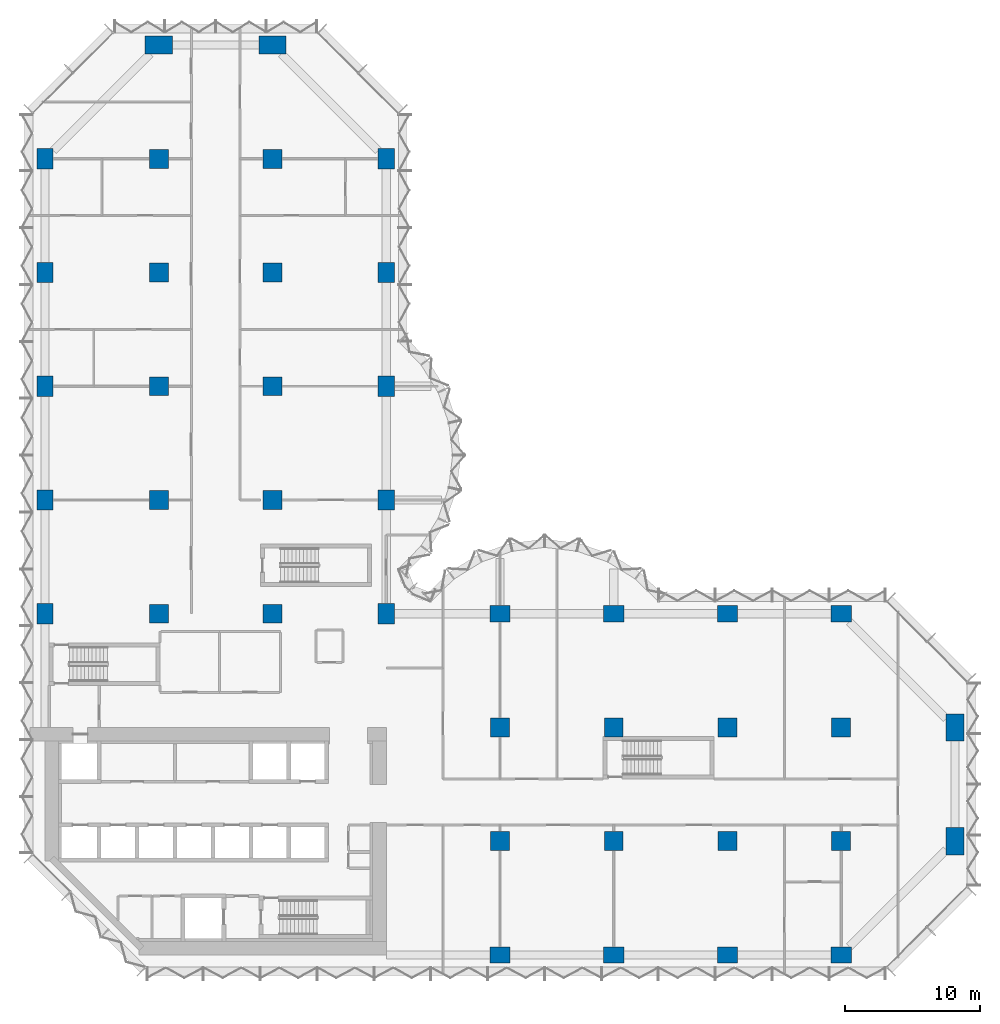
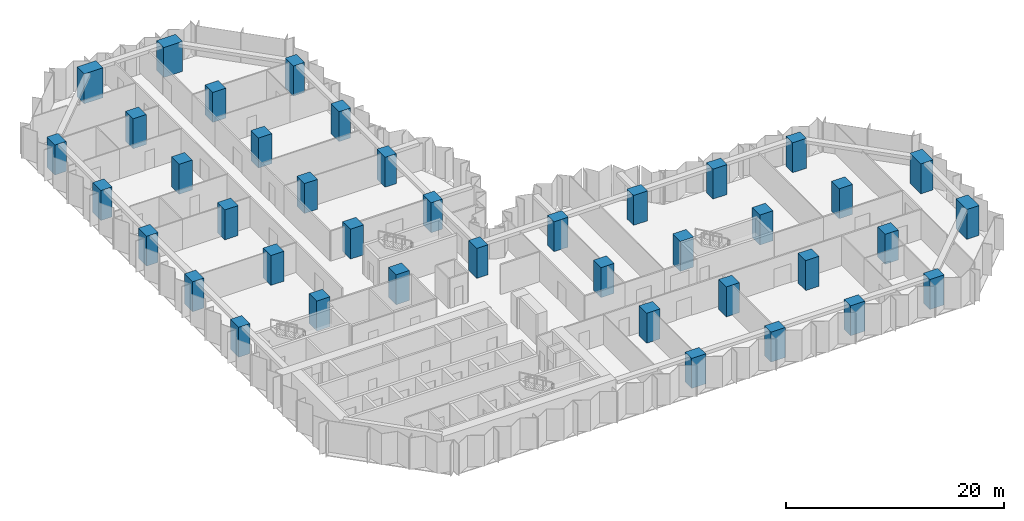
# One storey, part 1 of 15: 40 columns.
"""IFC4 building model written with IfcOpenShell, lengths in metres."""

from ifc_helpers import new_model, si_unit, direction, frame, origin, origin_2d, place, context, subcontext, project, spatial, rectangle, extrude, material, material_profile, profile_set, type_object, element, save


model = new_model("IFC4")

# Units and contexts
model_context = context("Model", 3, precision=1e-05, world=origin(), true_north=direction((0.0, 1.0)))
body_context = subcontext(model_context, "Body", "Model", "MODEL_VIEW")
ifc_project = project(units=[si_unit("LENGTHUNIT", "METRE"), si_unit("AREAUNIT", "SQUARE_METRE"), si_unit("VOLUMEUNIT", "CUBIC_METRE"), si_unit("PLANEANGLEUNIT", "RADIAN"), si_unit("MASSUNIT", "GRAM", prefix="KILO")], contexts=[model_context])

# Site, building, storey
site_placement = place(None, origin())
site = spatial("IfcSite", under=ifc_project, at=site_placement, CompositionType="ELEMENT")
building_placement = place(site_placement, origin())
building = spatial("IfcBuilding", under=site, at=building_placement, Name="Brevane Broadcast Tower", CompositionType="ELEMENT")
storey_placement = place(building_placement, frame((0.0, 0.0, 65.300048828125)))
storey = spatial("IfcBuildingStorey", under=building, at=storey_placement, Name="L14", CompositionType="ELEMENT", Elevation=65.300048828125)

# Columns
ifc_material = material(Name="Concrete C80/95", Category="concrete")
ifc_material_profile_1 = material_profile(ifc_material, rectangle(XDim=1.199951171875, YDim=1.5, at=origin_2d()), Name="RC 1200x1500")
ifc_profile_set_1 = profile_set([ifc_material_profile_1], Name="Concrete C80/95")
column_type_1 = type_object("IfcColumnType", Name="RC COLUMN EDGE 1200x1500 C80/95", PredefinedType="COLUMN", material=ifc_profile_set_1)
for number, where, z_axis, x_axis, name in (
    (1, (0.0, 25.199951171875, 0.0), (0.0, 0.0, 1.0), (1.0, 0.0, 0.0), "CE5 1/D"),
    (2, (0.0, 33.60009765625, 0.0), (0.0, 0.0, 1.0), (1.0, 0.0, 0.0), "CE5 1/E"),
    (3, (0.0, 42.0, 0.0), (0.0, 0.0, 1.0), (1.0, 0.0, 0.0), "CE5 1/F"),
    (4, (0.0, 50.39990234375, 0.0), (0.0, 0.0, 1.0), (1.0, 0.0, 0.0), "CE5 1/G"),
    (5, (0.0, 58.800048828125, 0.0), (0.0, 0.0, 1.0), (1.0, 0.0, 0.0), "CE5 1/H"),
    (6, (25.199951171875, 25.199951171875, 0.0), (0.0, 0.0, 1.0), (1.0, 0.0, 0.0), "CE5 4/D"),
    (7, (25.199951171875, 33.60009765625, 0.0), (0.0, 0.0, 1.0), (1.0, 0.0, 0.0), "CE5 4/E"),
    (8, (25.199951171875, 42.0, 0.0), (0.0, 0.0, 1.0), (1.0, 0.0, 0.0), "CE5 4/F"),
    (9, (25.199951171875, 50.39990234375, 0.0), (0.0, 0.0, 1.0), (1.0, 0.0, 0.0), "CE5 4/G"),
    (10, (25.199951171875, 58.800048828125, 0.0), (0.0, 0.0, 1.0), (1.0, 0.0, 0.0), "CE5 4/H"),
    (11, (33.60009765625, 0.0, 0.0), (0.0, 0.0, 1.0), (0.0, 1.0, 0.0), "CE5 5/A"),
    (12, (33.60009765625, 25.199951171875, 0.0), (0.0, 0.0, 1.0), (0.0, 1.0, 0.0), "CE5 5/D"),
    (13, (42.0, 0.0, 0.0), (0.0, 0.0, 1.0), (0.0, 1.0, 0.0), "CE5 6/A"),
    (14, (42.0, 25.199951171875, 0.0), (0.0, 0.0, 1.0), (0.0, 1.0, 0.0), "CE5 6/D"),
    (15, (50.39990234375, 0.0, 0.0), (0.0, 0.0, 1.0), (0.0, 1.0, 0.0), "CE5 7/A"),
    (16, (50.39990234375, 25.199951171875, 0.0), (0.0, 0.0, 1.0), (0.0, 1.0, 0.0), "CE5 7/D"),
    (17, (58.800048828125, 0.0, 0.0), (0.0, 0.0, 1.0), (0.0, 1.0, 0.0), "CE5 8/A"),
    (18, (58.800048828125, 25.199951171875, 0.0), (0.0, 0.0, 1.0), (0.0, 1.0, 0.0), "CE5 8/D"),
):
    element("IfcColumn", number, at=place(storey_placement, frame(where, z_axis=z_axis, x_axis=x_axis)), inside=storey, type_object=column_type_1, Name=name, PredefinedType="COLUMN", context=body_context, shape_type="SweptSolid", body=[
        extrude(rectangle(XDim=1.199951171875, YDim=1.5, at=origin_2d()), origin(), (0.0, 0.0, 1.0), 3.349853515625),
    ])
ifc_material_profile_2 = material_profile(ifc_material, rectangle(XDim=1.39990234375, YDim=1.39990234375, at=origin_2d()), Name="RC 1400x1400")
ifc_profile_set_2 = profile_set([ifc_material_profile_2], Name="Concrete C80/95")
column_type_2 = type_object("IfcColumnType", Name="RC COLUMN INTERIOR 1400x1400 C80/95", PredefinedType="COLUMN", material=ifc_profile_set_2)
for number, where, z_axis, x_axis, name in (
    (19, (8.39990234375, 25.199951171875, 0.0), (0.0, 0.0, 1.0), (1.0, 0.0, 0.0), "CI6 2/D"),
    (20, (8.39990234375, 33.60009765625, 0.0), (0.0, 0.0, 1.0), (1.0, 0.0, 0.0), "CI6 2/E"),
    (21, (8.39990234375, 42.0, 0.0), (0.0, 0.0, 1.0), (1.0, 0.0, 0.0), "CI6 2/F"),
    (22, (8.39990234375, 50.39990234375, 0.0), (0.0, 0.0, 1.0), (1.0, 0.0, 0.0), "CI6 2/G"),
    (23, (8.39990234375, 58.800048828125, 0.0), (0.0, 0.0, 1.0), (1.0, 0.0, 0.0), "CI6 2/H"),
    (24, (16.800048828125, 25.199951171875, 0.0), (0.0, 0.0, 1.0), (1.0, 0.0, 0.0), "CI6 3/D"),
    (25, (16.800048828125, 33.60009765625, 0.0), (0.0, 0.0, 1.0), (1.0, 0.0, 0.0), "CI6 3/E"),
    (26, (16.800048828125, 42.0, 0.0), (0.0, 0.0, 1.0), (1.0, 0.0, 0.0), "CI6 3/F"),
    (27, (16.800048828125, 50.39990234375, 0.0), (0.0, 0.0, 1.0), (1.0, 0.0, 0.0), "CI6 3/G"),
    (28, (16.800048828125, 58.800048828125, 0.0), (0.0, 0.0, 1.0), (1.0, 0.0, 0.0), "CI6 3/H"),
    (29, (33.60009765625, 8.39990234375, 0.0), (0.0, 0.0, 1.0), (1.0, 0.0, 0.0), "CI6 5/B"),
    (30, (33.60009765625, 16.800048828125, 0.0), (0.0, 0.0, 1.0), (1.0, 0.0, 0.0), "CI6 5/C"),
    (31, (42.0, 8.39990234375, 0.0), (0.0, 0.0, 1.0), (1.0, 0.0, 0.0), "CI6 6/B"),
    (32, (42.0, 16.800048828125, 0.0), (0.0, 0.0, 1.0), (1.0, 0.0, 0.0), "CI6 6/C"),
    (33, (50.39990234375, 8.39990234375, 0.0), (0.0, 0.0, 1.0), (1.0, 0.0, 0.0), "CI6 7/B"),
    (34, (50.39990234375, 16.800048828125, 0.0), (0.0, 0.0, 1.0), (1.0, 0.0, 0.0), "CI6 7/C"),
    (35, (58.800048828125, 8.39990234375, 0.0), (0.0, 0.0, 1.0), (1.0, 0.0, 0.0), "CI6 8/B"),
    (36, (58.800048828125, 16.800048828125, 0.0), (0.0, 0.0, 1.0), (1.0, 0.0, 0.0), "CI6 8/C"),
):
    element("IfcColumn", number, at=place(storey_placement, frame(where, z_axis=z_axis, x_axis=x_axis)), inside=storey, type_object=column_type_2, Name=name, PredefinedType="COLUMN", context=body_context, shape_type="SweptSolid", body=[
        extrude(rectangle(XDim=1.39990234375, YDim=1.39990234375, at=origin_2d()), origin(), (0.0, 0.0, 1.0), 3.349853515625),
    ])
ifc_material_profile_3 = material_profile(ifc_material, rectangle(XDim=1.300048828125, YDim=2.0, at=origin_2d()), Name="RC 1300x2000")
ifc_profile_set_3 = profile_set([ifc_material_profile_3], Name="Concrete C80/95")
column_type_3 = type_object("IfcColumnType", Name="RC COLUMN WING-END 1300x2000 C80/95", PredefinedType="COLUMN", material=ifc_profile_set_3)
for number, where, z_axis, x_axis, name in (
    (37, (8.39990234375, 67.199951171875, 0.0), (0.0, 0.0, 1.0), (0.0, 1.0, 0.0), "CW7 2/I"),
    (38, (16.800048828125, 67.199951171875, 0.0), (0.0, 0.0, 1.0), (0.0, 1.0, 0.0), "CW7 3/I"),
    (39, (67.199951171875, 8.39990234375, 0.0), (0.0, 0.0, 1.0), (1.0, 0.0, 0.0), "CW7 9/B"),
    (40, (67.199951171875, 16.800048828125, 0.0), (0.0, 0.0, 1.0), (1.0, 0.0, 0.0), "CW7 9/C"),
):
    element("IfcColumn", number, at=place(storey_placement, frame(where, z_axis=z_axis, x_axis=x_axis)), inside=storey, type_object=column_type_3, Name=name, PredefinedType="COLUMN", context=body_context, shape_type="SweptSolid", body=[
        extrude(rectangle(XDim=1.300048828125, YDim=2.0, at=origin_2d()), origin(), (0.0, 0.0, 1.0), 3.349853515625),
    ])

save(model, "model.ifc")
